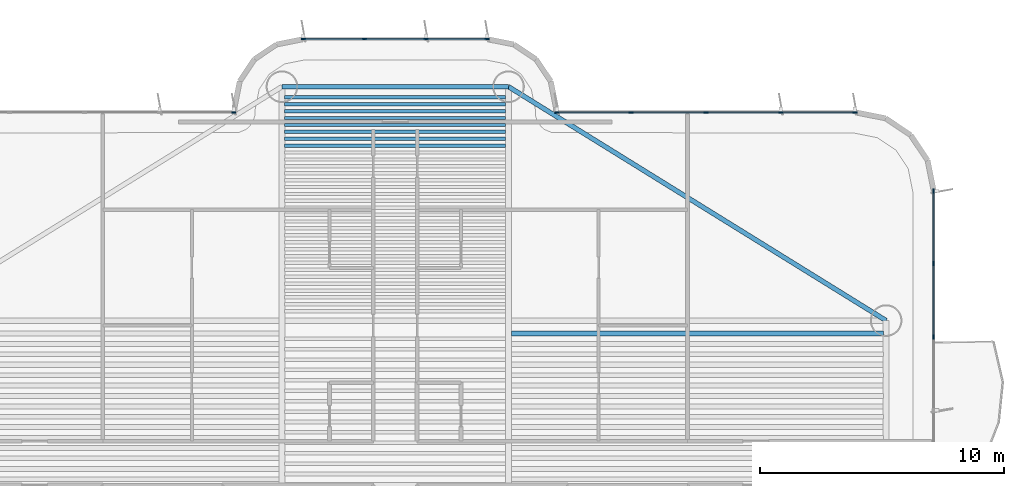
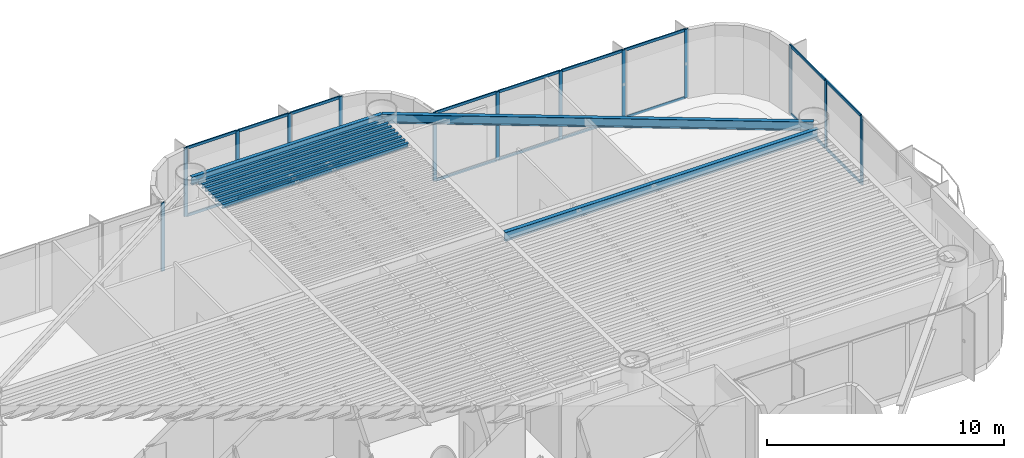
# One storey, part 7 of 17: 31 members, 11 beams, 4 elements without a shape of their own.
"""IFC4 building model written with IfcOpenShell, lengths in metres."""

from ifc_helpers import new_model, si_unit, direction, frame, origin, origin_2d, place, context, subcontext, project, spatial, rectangle, i_section, extrude, source, transform, mapped, material, layer, layer_set, material_profile, profile_set, type_object, element, aggregate, save


model = new_model("IFC4")

# Units and contexts
model_context = context("Model", 3, precision=1e-05, world=origin(), true_north=direction((0.0, 1.0)))
body_context = subcontext(model_context, "Body", "Model", "MODEL_VIEW")
ifc_project = project(units=[si_unit("LENGTHUNIT", "METRE"), si_unit("AREAUNIT", "SQUARE_METRE"), si_unit("VOLUMEUNIT", "CUBIC_METRE"), si_unit("PLANEANGLEUNIT", "RADIAN"), si_unit("MASSUNIT", "GRAM", prefix="KILO")], contexts=[model_context])

# Site, building, storey
site_placement = place(None, origin())
site = spatial("IfcSite", under=ifc_project, at=site_placement, CompositionType="ELEMENT")
building_placement = place(site_placement, origin())
building = spatial("IfcBuilding", under=site, at=building_placement, Name="Brelvock Crest Care Tower", CompositionType="ELEMENT")
storey_placement = place(building_placement, frame((0.0, 0.0, 89.820068359375)))
storey = spatial("IfcBuildingStorey", under=building, at=storey_placement, Name="L22", CompositionType="ELEMENT", Elevation=89.820068359375)

# Beams
ifc_material_1 = material(Name="Steel Grade 350", Category="steel")
ifc_material_profile_1 = material_profile(ifc_material_1, i_section(OverallWidth=0.177978515625, OverallDepth=0.406005859375, WebThickness=0.0078125, FlangeThickness=0.0126953125, FilletRadius=0.011474609375, at=origin_2d()), Name="410UB59.7")
ifc_profile_set_1 = profile_set([ifc_material_profile_1], Name="Steel Grade 350")
beam_type_1 = type_object("IfcBeamType", Name="BM-SP1", PredefinedType="SPANDREL", material=ifc_profile_set_1)
shared_shape_1 = source(origin(), body_context, "Body", "SweptSolid", [
    extrude(i_section(OverallWidth=0.177978515625, OverallDepth=0.406005859375, WebThickness=0.0078125, FlangeThickness=0.0126953125, FilletRadius=0.011474609375, at=origin_2d()), origin(), (0.0, 0.0, 1.0), 9.2998046875),
])
beam_1_placement = place(storey_placement, frame((31.35009765625, 48.449951171875, 3.326904296875), z_axis=(1.0, 0.0, 0.0), x_axis=(0.0, 1.0, 0.0)))
element("IfcBeam", 1, at=beam_1_placement, inside=storey, type_object=beam_type_1, Name="BM-TWR-L22-08", PredefinedType="SPANDREL", context=body_context, shape_type="MappedRepresentation", body=[
    mapped(shared_shape_1, transform((0.0, 0.0, 0.0), x_axis=(1.0, 0.0, 0.0), y_axis=(0.0, 1.0, 0.0), z_axis=(0.0, 0.0, 1.0), scale=1.0)),
])
ifc_material_profile_2 = material_profile(ifc_material_1, i_section(OverallWidth=0.134033203125, OverallDepth=0.20703125, WebThickness=0.00634765625, FlangeThickness=0.009521484375, FilletRadius=0.0087890625, at=origin_2d()), Name="200UB29.8")
ifc_profile_set_2 = profile_set([ifc_material_profile_2], Name="Steel Grade 350")
beam_type_2 = type_object("IfcBeamType", Name="BM-J4", PredefinedType="JOIST", material=ifc_profile_set_2)
shared_shape_2 = source(origin(), body_context, "Body", "SweptSolid", [
    extrude(i_section(OverallWidth=0.134033203125, OverallDepth=0.20703125, WebThickness=0.00634765625, FlangeThickness=0.009521484375, FilletRadius=0.0087890625, at=origin_2d()), origin(), (0.0, 0.0, 1.0), 9.06982421875),
])
for number, where, z_axis, x_axis, name in (
    (2, (31.465087890625, 46.03076171875, 3.426513671875), (1.0, 0.0, 0.0), (0.0, 1.0, 0.0), "BM-JN-L22-25"),
    (3, (31.465087890625, 46.31396484375, 3.426513671875), (1.0, 0.0, 0.0), (0.0, 1.0, 0.0), "BM-JN-L22-26"),
    (4, (31.465087890625, 46.59716796875, 3.426513671875), (1.0, 0.0, 0.0), (0.0, 1.0, 0.0), "BM-JN-L22-27"),
    (5, (31.465087890625, 46.88037109375, 3.426513671875), (1.0, 0.0, 0.0), (0.0, 1.0, 0.0), "BM-JN-L22-28"),
    (6, (31.465087890625, 47.16357421875, 3.426513671875), (1.0, 0.0, 0.0), (0.0, 1.0, 0.0), "BM-JN-L22-29"),
    (7, (31.465087890625, 47.44677734375, 3.426513671875), (1.0, 0.0, 0.0), (0.0, 1.0, 0.0), "BM-JN-L22-30"),
    (8, (31.465087890625, 47.72998046875, 3.426513671875), (1.0, 0.0, 0.0), (0.0, 1.0, 0.0), "BM-JN-L22-31"),
    (9, (31.465087890625, 48.01318359375, 3.426513671875), (1.0, 0.0, 0.0), (0.0, 1.0, 0.0), "BM-JN-L22-32"),
):
    element("IfcBeam", number, at=place(storey_placement, frame(where, z_axis=z_axis, x_axis=x_axis)), inside=storey, type_object=beam_type_2, Name=name, PredefinedType="JOIST", context=body_context, shape_type="MappedRepresentation", body=[
        mapped(shared_shape_2, transform((0.0, 0.0, 0.0), x_axis=(1.0, 0.0, 0.0), y_axis=(0.0, 1.0, 0.0), z_axis=(0.0, 0.0, 1.0), scale=1.0)),
    ])
ifc_material_profile_3 = material_profile(ifc_material_1, i_section(OverallWidth=0.19091796875, OverallDepth=0.4599609375, WebThickness=0.010009765625, FlangeThickness=0.01611328125, FilletRadius=0.011474609375, at=origin_2d()), Name="460UB82.1")
ifc_profile_set_3 = profile_set([ifc_material_profile_3], Name="Steel Grade 350")
beam_type_3 = type_object("IfcBeamType", Name="BM-G3", PredefinedType="BEAM", material=ifc_profile_set_3)
shared_shape_3 = source(origin(), body_context, "Body", "SweptSolid", [
    extrude(i_section(OverallWidth=0.19091796875, OverallDepth=0.4599609375, WebThickness=0.010009765625, FlangeThickness=0.01611328125, FilletRadius=0.011474609375, at=origin_2d()), origin(), (0.0, 0.0, 1.0), 15.27001953125),
])
beam_2_placement = place(storey_placement, frame((40.764892578125, 38.317626953125, 3.300048828125), z_axis=(1.0, 0.0, 0.0), x_axis=(0.0, 1.0, 0.0)))
element("IfcBeam", 10, at=beam_2_placement, inside=storey, type_object=beam_type_3, Name="BM-JE-L22-26", PredefinedType="BEAM", context=body_context, shape_type="MappedRepresentation", body=[
    mapped(shared_shape_3, transform((0.0, 0.0, 0.0), x_axis=(1.0, 0.0, 0.0), y_axis=(0.0, 1.0, 0.0), z_axis=(0.0, 0.0, 1.0), scale=1.0)),
])
ifc_material_profile_4 = material_profile(ifc_material_1, i_section(OverallWidth=0.19091796875, OverallDepth=0.4599609375, WebThickness=0.010009765625, FlangeThickness=0.01611328125, FilletRadius=0.011474609375, at=origin_2d()), Name="460UB82.1")
ifc_profile_set_4 = profile_set([ifc_material_profile_4], Name="Steel Grade 350")
beam_type_4 = type_object("IfcBeamType", Name="BM-SP2", PredefinedType="SPANDREL", material=ifc_profile_set_4)
shared_shape_4 = source(origin(), body_context, "Body", "SweptSolid", [
    extrude(i_section(OverallWidth=0.19091796875, OverallDepth=0.4599609375, WebThickness=0.010009765625, FlangeThickness=0.01611328125, FilletRadius=0.011474609375, at=origin_2d()), origin(), (0.0, 0.0, 1.0), 18.23193359375),
])
beam_3_placement = place(storey_placement, frame((40.64990234375, 48.449951171875, 3.300048828125), z_axis=(0.85015183248, -0.526537616635, 0.0), x_axis=(0.526537616635, 0.85015183248, 0.0)))
element("IfcBeam", 11, at=beam_3_placement, inside=storey, type_object=beam_type_4, Name="BM-TWR-L22-07", PredefinedType="SPANDREL", context=body_context, shape_type="MappedRepresentation", body=[
    mapped(shared_shape_4, transform((0.0, 0.0, 0.0), x_axis=(1.0, 0.0, 0.0), y_axis=(0.0, 1.0, 0.0), z_axis=(0.0, 0.0, 1.0), scale=1.0)),
])

# Curtain wall, member
ifc_material_2 = material(Name="Dark Glass Double Glazed Low-E", Category="glass")
ifc_layer = layer(ifc_material_2, 0.2099609375, Name="CWS-3")
ifc_layer_set = layer_set([ifc_layer], Name="Dark Glass Double Glazed Low-E")
curtain_wall_type = type_object("IfcCurtainWallType", Name="CWS-3", PredefinedType="NOTDEFINED", material=ifc_layer_set)
curtain_wall_1_placement = place(storey_placement, origin())
curtain_wall_1 = element("IfcCurtainWall", 12, at=curtain_wall_1_placement, inside=storey, type_object=curtain_wall_type, Name="L22 Curtain Wall E22", PredefinedType="NOTDEFINED")
ifc_material_3 = material(Name="Aluminium 6063-T6", Category="aluminium")
ifc_material_profile_5 = material_profile(ifc_material_3, rectangle(XDim=0.06005859375, YDim=0.179931640625, at=origin_2d()), Name="ALU60x180")
ifc_profile_set_5 = profile_set([ifc_material_profile_5], Name="Aluminium 6063-T6")
member_type_1 = type_object("IfcMemberType", Name="CWM-2", PredefinedType="MULLION", material=ifc_profile_set_5)
shared_shape_5 = source(origin(), body_context, "Body", "SweptSolid", [
    extrude(rectangle(XDim=0.06005859375, YDim=0.179931640625, at=origin_2d()), origin(), (0.0, 0.0, 1.0), 3.530029296875),
])
member_1_placement = place(storey_placement, frame((29.3701171875, 47.39990234375, 0.0), z_axis=(0.0, 0.0, 1.0), x_axis=(0.0, 1.0, 0.0)))
member_1 = element("IfcMember", 13, at=member_1_placement, type_object=member_type_1, Name="CW-3 mullion 5", PredefinedType="MULLION", context=body_context, shape_type="MappedRepresentation", body=[
    mapped(shared_shape_5, transform((0.0, 0.0, 0.0), x_axis=(1.0, 0.0, 0.0), y_axis=(0.0, 1.0, 0.0), z_axis=(0.0, 0.0, 1.0), scale=1.0)),
])
aggregate(curtain_wall_1, [member_1])

# Curtain wall, members
curtain_wall_2_placement = place(storey_placement, origin())
curtain_wall_2 = element("IfcCurtainWall", 14, at=curtain_wall_2_placement, inside=storey, type_object=curtain_wall_type, Name="L22 Curtain Wall E28", PredefinedType="NOTDEFINED")
member_2_placement = place(storey_placement, frame((32.22998046875, 50.39990234375, 0.0), z_axis=(0.0, 0.0, 1.0), x_axis=(0.0, 1.0, 0.0)))
member_2 = element("IfcMember", 15, at=member_2_placement, type_object=member_type_1, Name="CW-3 mullion 1", PredefinedType="MULLION", context=body_context, shape_type="MappedRepresentation", body=[
    mapped(shared_shape_5, transform((0.0, 0.0, 0.0), x_axis=(1.0, 0.0, 0.0), y_axis=(0.0, 1.0, 0.0), z_axis=(0.0, 0.0, 1.0), scale=1.0)),
])
member_3_placement = place(storey_placement, frame((34.7333984375, 50.39990234375, 0.0), z_axis=(0.0, 0.0, 1.0), x_axis=(0.0, 1.0, 0.0)))
member_3 = element("IfcMember", 16, at=member_3_placement, type_object=member_type_1, Name="CW-3 mullion 2", PredefinedType="MULLION", context=body_context, shape_type="MappedRepresentation", body=[
    mapped(shared_shape_5, transform((0.0, 0.0, 0.0), x_axis=(1.0, 0.0, 0.0), y_axis=(0.0, 1.0, 0.0), z_axis=(0.0, 0.0, 1.0), scale=1.0)),
])
member_4_placement = place(storey_placement, frame((37.2666015625, 50.39990234375, 0.0), z_axis=(0.0, 0.0, 1.0), x_axis=(0.0, 1.0, 0.0)))
member_4 = element("IfcMember", 17, at=member_4_placement, type_object=member_type_1, Name="CW-3 mullion 3", PredefinedType="MULLION", context=body_context, shape_type="MappedRepresentation", body=[
    mapped(shared_shape_5, transform((0.0, 0.0, 0.0), x_axis=(1.0, 0.0, 0.0), y_axis=(0.0, 1.0, 0.0), z_axis=(0.0, 0.0, 1.0), scale=1.0)),
])
member_5_placement = place(storey_placement, frame((39.77001953125, 50.39990234375, 0.0), z_axis=(0.0, 0.0, 1.0), x_axis=(0.0, 1.0, 0.0)))
member_5 = element("IfcMember", 18, at=member_5_placement, type_object=member_type_1, Name="CW-3 mullion 4", PredefinedType="MULLION", context=body_context, shape_type="MappedRepresentation", body=[
    mapped(shared_shape_5, transform((0.0, 0.0, 0.0), x_axis=(1.0, 0.0, 0.0), y_axis=(0.0, 1.0, 0.0), z_axis=(0.0, 0.0, 1.0), scale=1.0)),
])

curtain_wall_3_placement = place(storey_placement, origin())
curtain_wall_3 = element("IfcCurtainWall", 19, at=curtain_wall_3_placement, inside=storey, type_object=curtain_wall_type, Name="L22 Curtain Wall E34", PredefinedType="NOTDEFINED")
member_6_placement = place(storey_placement, frame((42.6298828125, 47.39990234375, 0.0), z_axis=(0.0, 0.0, 1.0), x_axis=(0.0, 1.0, 0.0)))
member_6 = element("IfcMember", 20, at=member_6_placement, type_object=member_type_1, Name="CW-3 mullion 1", PredefinedType="MULLION", context=body_context, shape_type="MappedRepresentation", body=[
    mapped(shared_shape_5, transform((0.0, 0.0, 0.0), x_axis=(1.0, 0.0, 0.0), y_axis=(0.0, 1.0, 0.0), z_axis=(0.0, 0.0, 1.0), scale=1.0)),
])
member_7_placement = place(storey_placement, frame((45.675048828125, 47.39990234375, 0.0), z_axis=(0.0, 0.0, 1.0), x_axis=(0.0, 1.0, 0.0)))
member_7 = element("IfcMember", 21, at=member_7_placement, type_object=member_type_1, Name="CW-3 mullion 2", PredefinedType="MULLION", context=body_context, shape_type="MappedRepresentation", body=[
    mapped(shared_shape_5, transform((0.0, 0.0, 0.0), x_axis=(1.0, 0.0, 0.0), y_axis=(0.0, 1.0, 0.0), z_axis=(0.0, 0.0, 1.0), scale=1.0)),
])
member_8_placement = place(storey_placement, frame((48.75, 47.39990234375, 0.0), z_axis=(0.0, 0.0, 1.0), x_axis=(0.0, 1.0, 0.0)))
member_8 = element("IfcMember", 22, at=member_8_placement, type_object=member_type_1, Name="CW-3 mullion 3", PredefinedType="MULLION", context=body_context, shape_type="MappedRepresentation", body=[
    mapped(shared_shape_5, transform((0.0, 0.0, 0.0), x_axis=(1.0, 0.0, 0.0), y_axis=(0.0, 1.0, 0.0), z_axis=(0.0, 0.0, 1.0), scale=1.0)),
])
member_9_placement = place(storey_placement, frame((51.824951171875, 47.39990234375, 0.0), z_axis=(0.0, 0.0, 1.0), x_axis=(0.0, 1.0, 0.0)))
member_9 = element("IfcMember", 23, at=member_9_placement, type_object=member_type_1, Name="CW-3 mullion 4", PredefinedType="MULLION", context=body_context, shape_type="MappedRepresentation", body=[
    mapped(shared_shape_5, transform((0.0, 0.0, 0.0), x_axis=(1.0, 0.0, 0.0), y_axis=(0.0, 1.0, 0.0), z_axis=(0.0, 0.0, 1.0), scale=1.0)),
])
member_10_placement = place(storey_placement, frame((54.8701171875, 47.39990234375, 0.0), z_axis=(0.0, 0.0, 1.0), x_axis=(0.0, 1.0, 0.0)))
member_10 = element("IfcMember", 24, at=member_10_placement, type_object=member_type_1, Name="CW-3 mullion 5", PredefinedType="MULLION", context=body_context, shape_type="MappedRepresentation", body=[
    mapped(shared_shape_5, transform((0.0, 0.0, 0.0), x_axis=(1.0, 0.0, 0.0), y_axis=(0.0, 1.0, 0.0), z_axis=(0.0, 0.0, 1.0), scale=1.0)),
])

curtain_wall_4_placement = place(storey_placement, origin())
curtain_wall_4 = element("IfcCurtainWall", 25, at=curtain_wall_4_placement, inside=storey, type_object=curtain_wall_type, Name="L22 Curtain Wall E39A", PredefinedType="NOTDEFINED")
member_11_placement = place(storey_placement, frame((58.10009765625, 44.169921875, 0.0), z_axis=(0.0, 0.0, 1.0), x_axis=(1.0, 0.0, 0.0)))
member_11 = element("IfcMember", 26, at=member_11_placement, type_object=member_type_1, Name="CW-3 mullion 1", PredefinedType="MULLION", context=body_context, shape_type="MappedRepresentation", body=[
    mapped(shared_shape_5, transform((0.0, 0.0, 0.0), x_axis=(1.0, 0.0, 0.0), y_axis=(0.0, 1.0, 0.0), z_axis=(0.0, 0.0, 1.0), scale=1.0)),
])
member_12_placement = place(storey_placement, frame((58.10009765625, 41.1875, 0.0), z_axis=(0.0, 0.0, 1.0), x_axis=(1.0, 0.0, 0.0)))
member_12 = element("IfcMember", 27, at=member_12_placement, type_object=member_type_1, Name="CW-3 mullion 2", PredefinedType="MULLION", context=body_context, shape_type="MappedRepresentation", body=[
    mapped(shared_shape_5, transform((0.0, 0.0, 0.0), x_axis=(1.0, 0.0, 0.0), y_axis=(0.0, 1.0, 0.0), z_axis=(0.0, 0.0, 1.0), scale=1.0)),
])
member_13_placement = place(storey_placement, frame((58.10009765625, 38.175048828125, 0.0), z_axis=(0.0, 0.0, 1.0), x_axis=(1.0, 0.0, 0.0)))
member_13 = element("IfcMember", 28, at=member_13_placement, type_object=member_type_1, Name="CW-3 mullion 3", PredefinedType="MULLION", context=body_context, shape_type="MappedRepresentation", body=[
    mapped(shared_shape_5, transform((0.0, 0.0, 0.0), x_axis=(1.0, 0.0, 0.0), y_axis=(0.0, 1.0, 0.0), z_axis=(0.0, 0.0, 1.0), scale=1.0)),
])
ifc_material_profile_6 = material_profile(ifc_material_3, rectangle(XDim=0.06005859375, YDim=0.139892578125, at=origin_2d()), Name="ALU60x140")
ifc_profile_set_6 = profile_set([ifc_material_profile_6], Name="Aluminium 6063-T6")
member_type_2 = type_object("IfcMemberType", Name="CWT-2", PredefinedType="USERDEFINED", material=ifc_profile_set_6)
shared_shape_6 = source(origin(), body_context, "Body", "SweptSolid", [
    extrude(rectangle(XDim=0.06005859375, YDim=0.139892578125, at=origin_2d()), origin(), (0.0, 0.0, 1.0), 2.952392578125),
])
member_14_placement = place(storey_placement, frame((58.10009765625, 41.157470703125, 0.030029296875), z_axis=(0.0, -1.0, 0.0), x_axis=(1.0, 0.0, 0.0)))
member_14 = element("IfcMember", 29, at=member_14_placement, type_object=member_type_2, Name="CW-3 transom 2.1", ObjectType="TRANSOM", PredefinedType="USERDEFINED", context=body_context, shape_type="MappedRepresentation", body=[
    mapped(shared_shape_6, transform((0.0, 0.0, 0.0), x_axis=(1.0, 0.0, 0.0), y_axis=(0.0, 1.0, 0.0), z_axis=(0.0, 0.0, 1.0), scale=1.0)),
])
member_15_placement = place(storey_placement, frame((58.10009765625, 41.157470703125, 3.5), z_axis=(0.0, -1.0, 0.0), x_axis=(1.0, 0.0, 0.0)))
member_15 = element("IfcMember", 30, at=member_15_placement, type_object=member_type_2, Name="CW-3 transom 2.2", ObjectType="TRANSOM", PredefinedType="USERDEFINED", context=body_context, shape_type="MappedRepresentation", body=[
    mapped(shared_shape_6, transform((0.0, 0.0, 0.0), x_axis=(1.0, 0.0, 0.0), y_axis=(0.0, 1.0, 0.0), z_axis=(0.0, 0.0, 1.0), scale=1.0)),
])
shared_shape_7 = source(origin(), body_context, "Body", "SweptSolid", [
    extrude(rectangle(XDim=0.06005859375, YDim=0.139892578125, at=origin_2d()), origin(), (0.0, 0.0, 1.0), 2.92236328125),
])
member_16_placement = place(storey_placement, frame((58.10009765625, 44.139892578125, 0.030029296875), z_axis=(0.0, -1.0, 0.0), x_axis=(1.0, 0.0, 0.0)))
member_16 = element("IfcMember", 31, at=member_16_placement, type_object=member_type_2, Name="CW-3 transom 1.1", ObjectType="TRANSOM", PredefinedType="USERDEFINED", context=body_context, shape_type="MappedRepresentation", body=[
    mapped(shared_shape_7, transform((0.0, 0.0, 0.0), x_axis=(1.0, 0.0, 0.0), y_axis=(0.0, 1.0, 0.0), z_axis=(0.0, 0.0, 1.0), scale=1.0)),
])
member_17_placement = place(storey_placement, frame((58.10009765625, 44.139892578125, 3.5), z_axis=(0.0, -1.0, 0.0), x_axis=(1.0, 0.0, 0.0)))
member_17 = element("IfcMember", 32, at=member_17_placement, type_object=member_type_2, Name="CW-3 transom 1.2", ObjectType="TRANSOM", PredefinedType="USERDEFINED", context=body_context, shape_type="MappedRepresentation", body=[
    mapped(shared_shape_7, transform((0.0, 0.0, 0.0), x_axis=(1.0, 0.0, 0.0), y_axis=(0.0, 1.0, 0.0), z_axis=(0.0, 0.0, 1.0), scale=1.0)),
])
aggregate(curtain_wall_4, [member_11, member_12, member_13, member_16, member_17, member_14, member_15])

# Member
shared_shape_8 = source(origin(), body_context, "Body", "SweptSolid", [
    extrude(rectangle(XDim=0.06005859375, YDim=0.139892578125, at=origin_2d()), origin(), (0.0, 0.0, 1.0), 2.985107421875),
])
member_18_placement = place(storey_placement, frame((42.659912109375, 47.39990234375, 0.030029296875), z_axis=(1.0, 0.0, 0.0), x_axis=(0.0, 1.0, 0.0)))
member_18 = element("IfcMember", 33, at=member_18_placement, type_object=member_type_2, Name="CW-3 transom 1.1", ObjectType="TRANSOM", PredefinedType="USERDEFINED", context=body_context, shape_type="MappedRepresentation", body=[
    mapped(shared_shape_8, transform((0.0, 0.0, 0.0), x_axis=(1.0, 0.0, 0.0), y_axis=(0.0, 1.0, 0.0), z_axis=(0.0, 0.0, 1.0), scale=1.0)),
])

member_19_placement = place(storey_placement, frame((42.659912109375, 47.39990234375, 3.5), z_axis=(1.0, 0.0, 0.0), x_axis=(0.0, 1.0, 0.0)))
member_19 = element("IfcMember", 34, at=member_19_placement, type_object=member_type_2, Name="CW-3 transom 1.2", ObjectType="TRANSOM", PredefinedType="USERDEFINED", context=body_context, shape_type="MappedRepresentation", body=[
    mapped(shared_shape_8, transform((0.0, 0.0, 0.0), x_axis=(1.0, 0.0, 0.0), y_axis=(0.0, 1.0, 0.0), z_axis=(0.0, 0.0, 1.0), scale=1.0)),
])

member_20_placement = place(storey_placement, frame((51.85498046875, 47.39990234375, 0.030029296875), z_axis=(1.0, 0.0, 0.0), x_axis=(0.0, 1.0, 0.0)))
member_20 = element("IfcMember", 35, at=member_20_placement, type_object=member_type_2, Name="CW-3 transom 4.1", ObjectType="TRANSOM", PredefinedType="USERDEFINED", context=body_context, shape_type="MappedRepresentation", body=[
    mapped(shared_shape_8, transform((0.0, 0.0, 0.0), x_axis=(1.0, 0.0, 0.0), y_axis=(0.0, 1.0, 0.0), z_axis=(0.0, 0.0, 1.0), scale=1.0)),
])

member_21_placement = place(storey_placement, frame((51.85498046875, 47.39990234375, 3.5), z_axis=(1.0, 0.0, 0.0), x_axis=(0.0, 1.0, 0.0)))
member_21 = element("IfcMember", 36, at=member_21_placement, type_object=member_type_2, Name="CW-3 transom 4.2", ObjectType="TRANSOM", PredefinedType="USERDEFINED", context=body_context, shape_type="MappedRepresentation", body=[
    mapped(shared_shape_8, transform((0.0, 0.0, 0.0), x_axis=(1.0, 0.0, 0.0), y_axis=(0.0, 1.0, 0.0), z_axis=(0.0, 0.0, 1.0), scale=1.0)),
])

shared_shape_9 = source(origin(), body_context, "Body", "SweptSolid", [
    extrude(rectangle(XDim=0.06005859375, YDim=0.139892578125, at=origin_2d()), origin(), (0.0, 0.0, 1.0), 3.014892578125),
])
member_22_placement = place(storey_placement, frame((45.705078125, 47.39990234375, 0.030029296875), z_axis=(1.0, 0.0, 0.0), x_axis=(0.0, 1.0, 0.0)))
member_22 = element("IfcMember", 37, at=member_22_placement, type_object=member_type_2, Name="CW-3 transom 2.1", ObjectType="TRANSOM", PredefinedType="USERDEFINED", context=body_context, shape_type="MappedRepresentation", body=[
    mapped(shared_shape_9, transform((0.0, 0.0, 0.0), x_axis=(1.0, 0.0, 0.0), y_axis=(0.0, 1.0, 0.0), z_axis=(0.0, 0.0, 1.0), scale=1.0)),
])

member_23_placement = place(storey_placement, frame((45.705078125, 47.39990234375, 3.5), z_axis=(1.0, 0.0, 0.0), x_axis=(0.0, 1.0, 0.0)))
member_23 = element("IfcMember", 38, at=member_23_placement, type_object=member_type_2, Name="CW-3 transom 2.2", ObjectType="TRANSOM", PredefinedType="USERDEFINED", context=body_context, shape_type="MappedRepresentation", body=[
    mapped(shared_shape_9, transform((0.0, 0.0, 0.0), x_axis=(1.0, 0.0, 0.0), y_axis=(0.0, 1.0, 0.0), z_axis=(0.0, 0.0, 1.0), scale=1.0)),
])

member_24_placement = place(storey_placement, frame((48.780029296875, 47.39990234375, 0.030029296875), z_axis=(1.0, 0.0, 0.0), x_axis=(0.0, 1.0, 0.0)))
member_24 = element("IfcMember", 39, at=member_24_placement, type_object=member_type_2, Name="CW-3 transom 3.1", ObjectType="TRANSOM", PredefinedType="USERDEFINED", context=body_context, shape_type="MappedRepresentation", body=[
    mapped(shared_shape_9, transform((0.0, 0.0, 0.0), x_axis=(1.0, 0.0, 0.0), y_axis=(0.0, 1.0, 0.0), z_axis=(0.0, 0.0, 1.0), scale=1.0)),
])

member_25_placement = place(storey_placement, frame((48.780029296875, 47.39990234375, 3.5), z_axis=(1.0, 0.0, 0.0), x_axis=(0.0, 1.0, 0.0)))
member_25 = element("IfcMember", 40, at=member_25_placement, type_object=member_type_2, Name="CW-3 transom 3.2", ObjectType="TRANSOM", PredefinedType="USERDEFINED", context=body_context, shape_type="MappedRepresentation", body=[
    mapped(shared_shape_9, transform((0.0, 0.0, 0.0), x_axis=(1.0, 0.0, 0.0), y_axis=(0.0, 1.0, 0.0), z_axis=(0.0, 0.0, 1.0), scale=1.0)),
])

aggregate(curtain_wall_3, [member_6, member_7, member_8, member_9, member_10, member_18, member_19, member_22, member_23, member_24, member_25, member_20, member_21])

shared_shape_10 = source(origin(), body_context, "Body", "SweptSolid", [
    extrude(rectangle(XDim=0.06005859375, YDim=0.139892578125, at=origin_2d()), origin(), (0.0, 0.0, 1.0), 2.443359375),
])
member_26_placement = place(storey_placement, frame((32.260009765625, 50.39990234375, 0.030029296875), z_axis=(1.0, 0.0, 0.0), x_axis=(0.0, 1.0, 0.0)))
member_26 = element("IfcMember", 41, at=member_26_placement, type_object=member_type_2, Name="CW-3 transom 1.1", ObjectType="TRANSOM", PredefinedType="USERDEFINED", context=body_context, shape_type="MappedRepresentation", body=[
    mapped(shared_shape_10, transform((0.0, 0.0, 0.0), x_axis=(1.0, 0.0, 0.0), y_axis=(0.0, 1.0, 0.0), z_axis=(0.0, 0.0, 1.0), scale=1.0)),
])

member_27_placement = place(storey_placement, frame((32.260009765625, 50.39990234375, 3.5), z_axis=(1.0, 0.0, 0.0), x_axis=(0.0, 1.0, 0.0)))
member_27 = element("IfcMember", 42, at=member_27_placement, type_object=member_type_2, Name="CW-3 transom 1.2", ObjectType="TRANSOM", PredefinedType="USERDEFINED", context=body_context, shape_type="MappedRepresentation", body=[
    mapped(shared_shape_10, transform((0.0, 0.0, 0.0), x_axis=(1.0, 0.0, 0.0), y_axis=(0.0, 1.0, 0.0), z_axis=(0.0, 0.0, 1.0), scale=1.0)),
])

member_28_placement = place(storey_placement, frame((37.296630859375, 50.39990234375, 0.030029296875), z_axis=(1.0, 0.0, 0.0), x_axis=(0.0, 1.0, 0.0)))
member_28 = element("IfcMember", 43, at=member_28_placement, type_object=member_type_2, Name="CW-3 transom 3.1", ObjectType="TRANSOM", PredefinedType="USERDEFINED", context=body_context, shape_type="MappedRepresentation", body=[
    mapped(shared_shape_10, transform((0.0, 0.0, 0.0), x_axis=(1.0, 0.0, 0.0), y_axis=(0.0, 1.0, 0.0), z_axis=(0.0, 0.0, 1.0), scale=1.0)),
])

member_29_placement = place(storey_placement, frame((37.296630859375, 50.39990234375, 3.5), z_axis=(1.0, 0.0, 0.0), x_axis=(0.0, 1.0, 0.0)))
member_29 = element("IfcMember", 44, at=member_29_placement, type_object=member_type_2, Name="CW-3 transom 3.2", ObjectType="TRANSOM", PredefinedType="USERDEFINED", context=body_context, shape_type="MappedRepresentation", body=[
    mapped(shared_shape_10, transform((0.0, 0.0, 0.0), x_axis=(1.0, 0.0, 0.0), y_axis=(0.0, 1.0, 0.0), z_axis=(0.0, 0.0, 1.0), scale=1.0)),
])

shared_shape_11 = source(origin(), body_context, "Body", "SweptSolid", [
    extrude(rectangle(XDim=0.06005859375, YDim=0.139892578125, at=origin_2d()), origin(), (0.0, 0.0, 1.0), 2.47314453125),
])
member_30_placement = place(storey_placement, frame((34.763427734375, 50.39990234375, 0.030029296875), z_axis=(1.0, 0.0, 0.0), x_axis=(0.0, 1.0, 0.0)))
member_30 = element("IfcMember", 45, at=member_30_placement, type_object=member_type_2, Name="CW-3 transom 2.1", ObjectType="TRANSOM", PredefinedType="USERDEFINED", context=body_context, shape_type="MappedRepresentation", body=[
    mapped(shared_shape_11, transform((0.0, 0.0, 0.0), x_axis=(1.0, 0.0, 0.0), y_axis=(0.0, 1.0, 0.0), z_axis=(0.0, 0.0, 1.0), scale=1.0)),
])

member_31_placement = place(storey_placement, frame((34.763427734375, 50.39990234375, 3.5), z_axis=(1.0, 0.0, 0.0), x_axis=(0.0, 1.0, 0.0)))
member_31 = element("IfcMember", 46, at=member_31_placement, type_object=member_type_2, Name="CW-3 transom 2.2", ObjectType="TRANSOM", PredefinedType="USERDEFINED", context=body_context, shape_type="MappedRepresentation", body=[
    mapped(shared_shape_11, transform((0.0, 0.0, 0.0), x_axis=(1.0, 0.0, 0.0), y_axis=(0.0, 1.0, 0.0), z_axis=(0.0, 0.0, 1.0), scale=1.0)),
])

aggregate(curtain_wall_2, [member_2, member_3, member_4, member_5, member_26, member_27, member_30, member_31, member_28, member_29])

save(model, "model.ifc")
